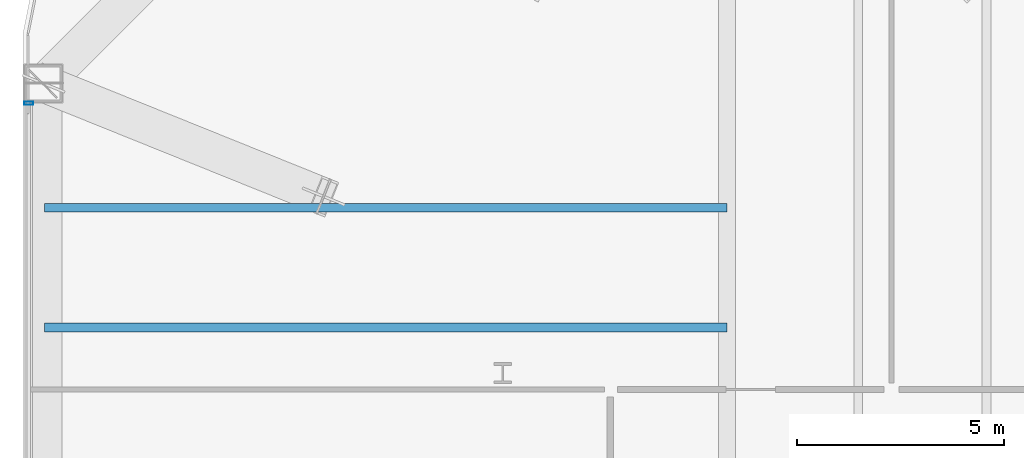
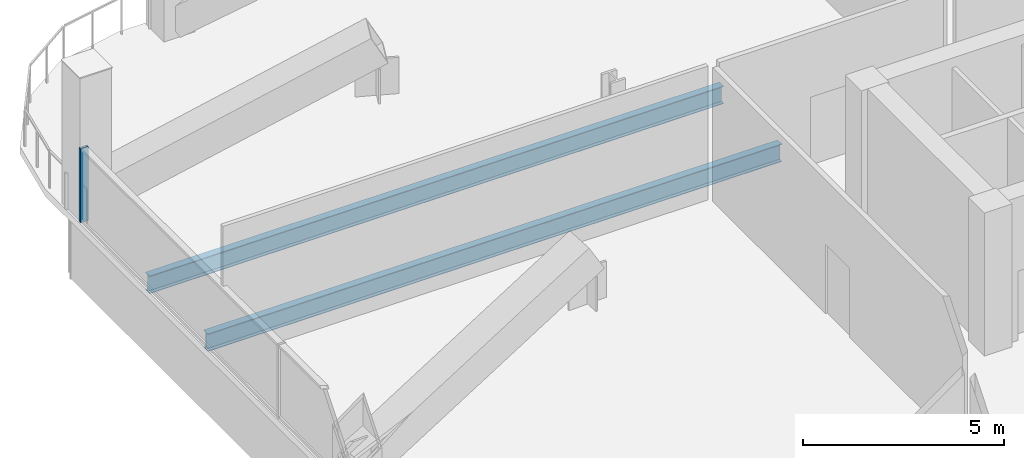
# One storey, part 18 of 38: 2 beams, 1 member, 1 element without a shape of its own.
"""IFC4 building model written with IfcOpenShell, lengths in metres."""

from ifc_helpers import new_model, si_unit, direction, frame, origin, origin_2d, place, context, subcontext, project, spatial, hollow_rectangle, i_section, extrude, material, layer, layer_set, material_profile, profile_set, type_object, element, aggregate, save


model = new_model("IFC4")

# Units and contexts
model_context = context("Model", 3, precision=1e-05, world=origin(), true_north=direction((0.0, 1.0)))
body_context = subcontext(model_context, "Body", "Model", "MODEL_VIEW")
ifc_project = project(units=[si_unit("LENGTHUNIT", "METRE"), si_unit("AREAUNIT", "SQUARE_METRE"), si_unit("VOLUMEUNIT", "CUBIC_METRE"), si_unit("PLANEANGLEUNIT", "RADIAN"), si_unit("MASSUNIT", "GRAM", prefix="KILO")], contexts=[model_context])

# Site, building, storey
site_placement = place(None, origin())
site = spatial("IfcSite", under=ifc_project, at=site_placement, CompositionType="ELEMENT")
building_placement = place(site_placement, origin())
building = spatial("IfcBuilding", under=site, at=building_placement, Name="Qhalaya Broadcast Tower", CompositionType="ELEMENT")
storey_placement = place(building_placement, frame((0.0, 0.0, 53.550048828125)))
storey = spatial("IfcBuildingStorey", under=building, at=storey_placement, Name="L15", CompositionType="ELEMENT", Elevation=53.550048828125)

# Beams
ifc_material_1 = material(Name="Structural Steel ASTM A992 Grade 50", Category="steel")
ifc_material_profile_1 = material_profile(ifc_material_1, i_section(OverallWidth=0.2099609375, OverallDepth=0.535888671875, WebThickness=0.010986328125, FlangeThickness=0.017333984375, at=origin_2d()), Name="W21X68")
ifc_profile_set_1 = profile_set([ifc_material_profile_1], Name="Structural Steel ASTM A992 Grade 50")
beam_type = type_object("IfcBeamType", Name="Composite Floor Joist J02", PredefinedType="JOIST", material=ifc_profile_set_1)
for number, where, z_axis, x_axis, name in (
    (1, (-25.8798828125, 14.300048828125, -0.488037109375), (1.0, 0.0, 0.0), (0.0, 1.0, 0.0), "L15 J02 L15-JWE6W-1"),
    (2, (-25.8798828125, 17.199951171875, -0.488037109375), (1.0, 0.0, 0.0), (0.0, 1.0, 0.0), "L15 J02 L15-JWE7W-1"),
):
    element("IfcBeam", number, at=place(storey_placement, frame(where, z_axis=z_axis, x_axis=x_axis)), inside=storey, type_object=beam_type, Name=name, PredefinedType="JOIST", context=body_context, shape_type="SweptSolid", body=[
        extrude(i_section(OverallWidth=0.2099609375, OverallDepth=0.535888671875, WebThickness=0.010986328125, FlangeThickness=0.017333984375, at=origin_2d()), origin(), (0.0, 0.0, 1.0), 16.5048828125),
    ])

# Curtain wall, member
ifc_material_2 = material(Name="Fired Architectural Terracotta", Category="masonry")
ifc_layer = layer(ifc_material_2, 0.219970703125, Name="Fired Architectural Terracotta")
ifc_layer_set = layer_set([ifc_layer], Name="Fired Architectural Terracotta")
curtain_wall_type = type_object("IfcCurtainWallType", Name="Block-Cap Unitised Terracotta Spandrel Wall CW-07", PredefinedType="NOTDEFINED", material=ifc_layer_set)
curtain_wall_placement = place(storey_placement, origin())
curtain_wall = element("IfcCurtainWall", 3, at=curtain_wall_placement, inside=storey, type_object=curtain_wall_type, Name="L15 Unitised Curtain Wall L15-CW-W", PredefinedType="NOTDEFINED")
ifc_material_3 = material(Name="Anodised Aluminium 6063-T6", Category="aluminium")
ifc_material_profile_2 = material_profile(ifc_material_3, hollow_rectangle(XDim=0.074951171875, YDim=0.219970703125, WallThickness=0.00390625, at=origin_2d()), Name="ALU-MUL 75x220x4")
ifc_profile_set_2 = profile_set([ifc_material_profile_2], Name="Anodised Aluminium 6063-T6")
member_type = type_object("IfcMemberType", Name="Unitised Curtain-Wall Mullion M01", PredefinedType="MULLION", material=ifc_profile_set_2)
member_placement = place(storey_placement, frame((-26.260009765625, 19.724609375, 0.0), z_axis=(0.0, 0.0, 1.0), x_axis=(0.0, 1.0, 0.0)))
member = element("IfcMember", 4, at=member_placement, type_object=member_type, Name="CW-07 mullion 5", PredefinedType="MULLION", context=body_context, shape_type="SweptSolid", body=[
    extrude(hollow_rectangle(XDim=0.074951171875, YDim=0.219970703125, WallThickness=0.00390625, at=origin_2d()), origin(), (0.0, 0.0, 1.0), 2.25),
])
aggregate(curtain_wall, [member])

save(model, "model.ifc")
